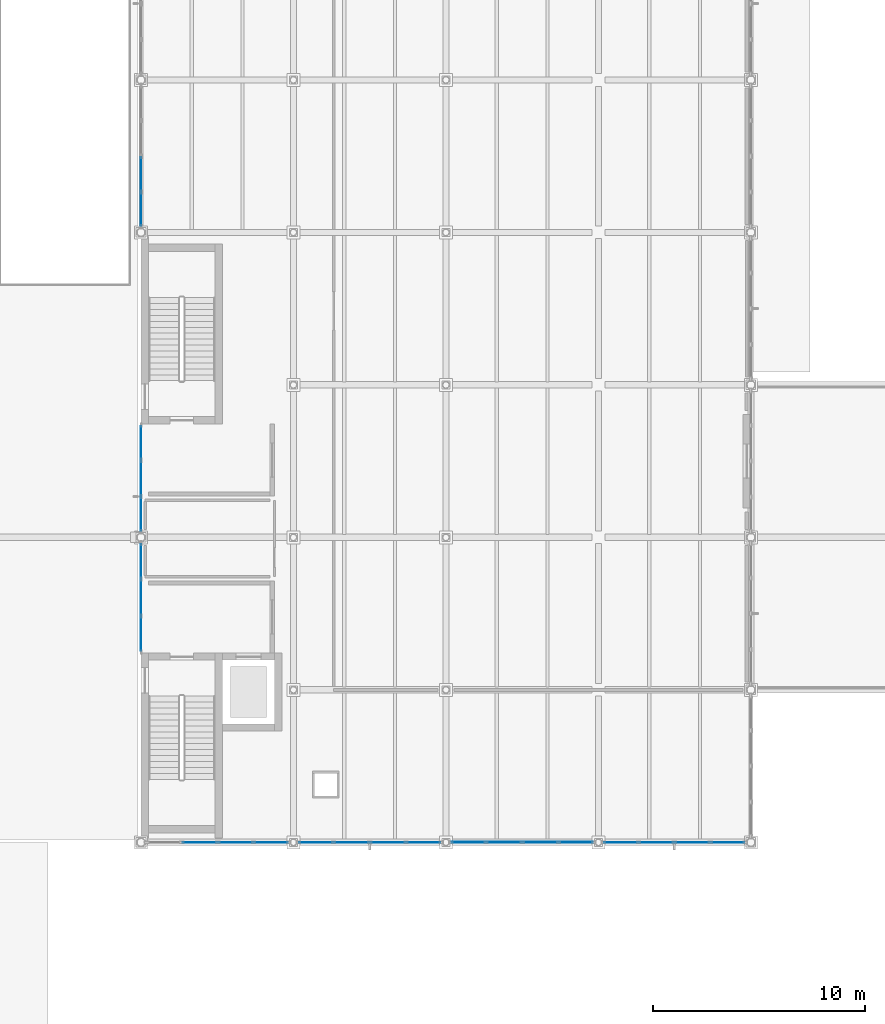
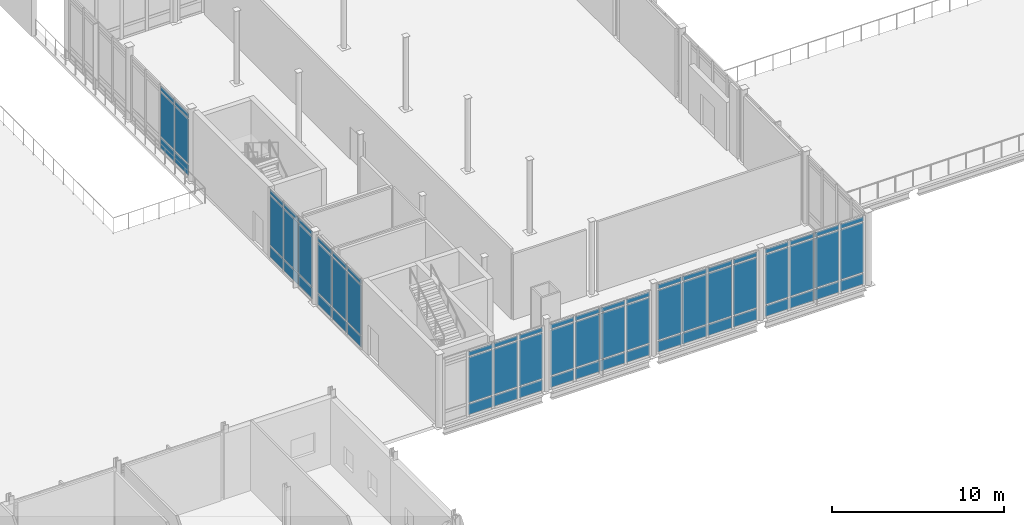
# One storey, part 43 of 89: 69 plates, 7 elements without a shape of their own.
"""IFC4 building model written with IfcOpenShell, lengths in metres."""

from ifc_helpers import new_model, si_unit, direction, frame, origin, origin_2d, place, context, subcontext, project, spatial, rectangle, extrude, material, layer, layer_set, type_object, element, aggregate, save


model = new_model("IFC4")

# Units and contexts
model_context = context("Model", 3, precision=1e-05, world=origin(), true_north=direction((0.0, 1.0)))
body_context = subcontext(model_context, "Body", "Model", "MODEL_VIEW")
ifc_project = project(units=[si_unit("LENGTHUNIT", "METRE"), si_unit("AREAUNIT", "SQUARE_METRE"), si_unit("VOLUMEUNIT", "CUBIC_METRE"), si_unit("PLANEANGLEUNIT", "RADIAN"), si_unit("MASSUNIT", "GRAM", prefix="KILO")], contexts=[model_context])

# Site, building, storey
site_placement = place(None, origin())
site = spatial("IfcSite", under=ifc_project, at=site_placement, CompositionType="ELEMENT")
building_placement = place(site_placement, origin())
building = spatial("IfcBuilding", under=site, at=building_placement, Name="Zarrinpeak Specialist Clinic", CompositionType="ELEMENT")
storey_placement = place(building_placement, origin())
storey = spatial("IfcBuildingStorey", under=building, at=storey_placement, Name="L00", CompositionType="ELEMENT", Elevation=0.0)

# Curtain wall, plates
ifc_material_1 = material(Name="Anodised Aluminium Alloy 6063-T6", Category="aluminium")
ifc_layer_1 = layer(ifc_material_1, 0.199951171875)
ifc_layer_set_1 = layer_set([ifc_layer_1], Name="Anodised Aluminium Alloy 6063-T6")
curtain_wall_type = type_object("IfcCurtainWallType", Name="CW-HALL", PredefinedType="NOTDEFINED", material=ifc_layer_set_1)
curtain_wall_1_placement = place(storey_placement, origin())
curtain_wall_1 = element("IfcCurtainWall", 1, at=curtain_wall_1_placement, inside=storey, type_object=curtain_wall_type, Name="L00 V3 Unitised Curtain Wall CW-L00-V3-079", PredefinedType="NOTDEFINED")
ifc_material_2 = material(Name="Double Low-E Insulated Glazing", Category="glass")
ifc_layer_2 = layer(ifc_material_2, 0.028076171875)
ifc_layer_set_2 = layer_set([ifc_layer_2], Name="Double Low-E Insulated Glazing")
plate_type_1 = type_object("IfcPlateType", Name="CWP-GLZ28", PredefinedType="CURTAIN_PANEL", material=ifc_layer_set_2)
plate_1_placement = place(storey_placement, frame((96.37255859375, 28.800048828125, 0.08984375), z_axis=(0.0, 0.0, 1.0), x_axis=(1.0, 0.0, 0.0)))
plate_1 = element("IfcPlate", 2, at=plate_1_placement, type_object=plate_type_1, Name="CW-02 panel 2.1", PredefinedType="CURTAIN_PANEL", context=body_context, shape_type="SweptSolid", body=[
    extrude(rectangle(XDim=1.606201171875, YDim=0.028076171875, at=origin_2d()), origin(), (0.0, 0.0, 1.0), 0.764892578125),
])
plate_2_placement = place(storey_placement, frame((96.37255859375, 28.800048828125, 0.945068359375), z_axis=(0.0, 0.0, 1.0), x_axis=(1.0, 0.0, 0.0)))
plate_2 = element("IfcPlate", 3, at=plate_2_placement, type_object=plate_type_1, Name="CW-02 panel 2.2", PredefinedType="CURTAIN_PANEL", context=body_context, shape_type="SweptSolid", body=[
    extrude(rectangle(XDim=1.606201171875, YDim=0.028076171875, at=origin_2d()), origin(), (0.0, 0.0, 1.0), 3.22509765625),
])
plate_3_placement = place(storey_placement, frame((96.37255859375, 28.800048828125, 4.260009765625), z_axis=(0.0, 0.0, 1.0), x_axis=(1.0, 0.0, 0.0)))
plate_3 = element("IfcPlate", 4, at=plate_3_placement, type_object=plate_type_1, Name="CW-02 panel 2.3", PredefinedType="CURTAIN_PANEL", context=body_context, shape_type="SweptSolid", body=[
    extrude(rectangle(XDim=1.606201171875, YDim=0.028076171875, at=origin_2d()), origin(), (0.0, 0.0, 1.0), 0.31494140625),
])
plate_4_placement = place(storey_placement, frame((98.06884765625, 28.800048828125, 0.08984375), z_axis=(0.0, 0.0, 1.0), x_axis=(1.0, 0.0, 0.0)))
plate_4 = element("IfcPlate", 5, at=plate_4_placement, type_object=plate_type_1, Name="CW-02 panel 3.1", PredefinedType="CURTAIN_PANEL", context=body_context, shape_type="SweptSolid", body=[
    extrude(rectangle(XDim=1.606201171875, YDim=0.028076171875, at=origin_2d()), origin(), (0.0, 0.0, 1.0), 0.764892578125),
])
plate_5_placement = place(storey_placement, frame((98.06884765625, 28.800048828125, 0.945068359375), z_axis=(0.0, 0.0, 1.0), x_axis=(1.0, 0.0, 0.0)))
plate_5 = element("IfcPlate", 6, at=plate_5_placement, type_object=plate_type_1, Name="CW-02 panel 3.2", PredefinedType="CURTAIN_PANEL", context=body_context, shape_type="SweptSolid", body=[
    extrude(rectangle(XDim=1.606201171875, YDim=0.028076171875, at=origin_2d()), origin(), (0.0, 0.0, 1.0), 3.22509765625),
])
plate_6_placement = place(storey_placement, frame((98.06884765625, 28.800048828125, 4.260009765625), z_axis=(0.0, 0.0, 1.0), x_axis=(1.0, 0.0, 0.0)))
plate_6 = element("IfcPlate", 7, at=plate_6_placement, type_object=plate_type_1, Name="CW-02 panel 3.3", PredefinedType="CURTAIN_PANEL", context=body_context, shape_type="SweptSolid", body=[
    extrude(rectangle(XDim=1.606201171875, YDim=0.028076171875, at=origin_2d()), origin(), (0.0, 0.0, 1.0), 0.31494140625),
])
plate_7_placement = place(storey_placement, frame((99.742431640625, 28.800048828125, 0.08984375), z_axis=(0.0, 0.0, 1.0), x_axis=(1.0, 0.0, 0.0)))
plate_7 = element("IfcPlate", 8, at=plate_7_placement, type_object=plate_type_1, Name="CW-02 panel 4.1", PredefinedType="CURTAIN_PANEL", context=body_context, shape_type="SweptSolid", body=[
    extrude(rectangle(XDim=1.561279296875, YDim=0.028076171875, at=origin_2d()), origin(), (0.0, 0.0, 1.0), 0.764892578125),
])
plate_8_placement = place(storey_placement, frame((99.742431640625, 28.800048828125, 0.945068359375), z_axis=(0.0, 0.0, 1.0), x_axis=(1.0, 0.0, 0.0)))
plate_8 = element("IfcPlate", 9, at=plate_8_placement, type_object=plate_type_1, Name="CW-02 panel 4.2", PredefinedType="CURTAIN_PANEL", context=body_context, shape_type="SweptSolid", body=[
    extrude(rectangle(XDim=1.561279296875, YDim=0.028076171875, at=origin_2d()), origin(), (0.0, 0.0, 1.0), 3.22509765625),
])
plate_9_placement = place(storey_placement, frame((99.742431640625, 28.800048828125, 4.260009765625), z_axis=(0.0, 0.0, 1.0), x_axis=(1.0, 0.0, 0.0)))
plate_9 = element("IfcPlate", 10, at=plate_9_placement, type_object=plate_type_1, Name="CW-02 panel 4.3", PredefinedType="CURTAIN_PANEL", context=body_context, shape_type="SweptSolid", body=[
    extrude(rectangle(XDim=1.561279296875, YDim=0.028076171875, at=origin_2d()), origin(), (0.0, 0.0, 1.0), 0.31494140625),
])
aggregate(curtain_wall_1, [plate_1, plate_2, plate_3, plate_4, plate_5, plate_6, plate_7, plate_8, plate_9])

curtain_wall_2_placement = place(storey_placement, origin())
curtain_wall_2 = element("IfcCurtainWall", 11, at=curtain_wall_2_placement, inside=storey, type_object=curtain_wall_type, Name="L00 V3 Unitised Curtain Wall CW-L00-V3-080", PredefinedType="NOTDEFINED")
plate_10_placement = place(storey_placement, frame((101.86279296875, 28.800048828125, 0.08984375), z_axis=(0.0, 0.0, 1.0), x_axis=(1.0, 0.0, 0.0)))
plate_10 = element("IfcPlate", 12, at=plate_10_placement, type_object=plate_type_1, Name="CW-02 panel 1.1", PredefinedType="CURTAIN_PANEL", context=body_context, shape_type="SweptSolid", body=[
    extrude(rectangle(XDim=1.571533203125, YDim=0.028076171875, at=origin_2d()), origin(), (0.0, 0.0, 1.0), 0.764892578125),
])
plate_11_placement = place(storey_placement, frame((101.86279296875, 28.800048828125, 0.945068359375), z_axis=(0.0, 0.0, 1.0), x_axis=(1.0, 0.0, 0.0)))
plate_11 = element("IfcPlate", 13, at=plate_11_placement, type_object=plate_type_1, Name="CW-02 panel 1.2", PredefinedType="CURTAIN_PANEL", context=body_context, shape_type="SweptSolid", body=[
    extrude(rectangle(XDim=1.571533203125, YDim=0.028076171875, at=origin_2d()), origin(), (0.0, 0.0, 1.0), 3.22509765625),
])
plate_12_placement = place(storey_placement, frame((101.86279296875, 28.800048828125, 4.260009765625), z_axis=(0.0, 0.0, 1.0), x_axis=(1.0, 0.0, 0.0)))
plate_12 = element("IfcPlate", 14, at=plate_12_placement, type_object=plate_type_1, Name="CW-02 panel 1.3", PredefinedType="CURTAIN_PANEL", context=body_context, shape_type="SweptSolid", body=[
    extrude(rectangle(XDim=1.571533203125, YDim=0.028076171875, at=origin_2d()), origin(), (0.0, 0.0, 1.0), 0.31494140625),
])
plate_13_placement = place(storey_placement, frame((103.546630859375, 28.800048828125, 0.08984375), z_axis=(0.0, 0.0, 1.0), x_axis=(1.0, 0.0, 0.0)))
plate_13 = element("IfcPlate", 15, at=plate_13_placement, type_object=plate_type_1, Name="CW-02 panel 2.1", PredefinedType="CURTAIN_PANEL", context=body_context, shape_type="SweptSolid", body=[
    extrude(rectangle(XDim=1.616455078125, YDim=0.028076171875, at=origin_2d()), origin(), (0.0, 0.0, 1.0), 0.764892578125),
])
plate_14_placement = place(storey_placement, frame((103.546630859375, 28.800048828125, 0.945068359375), z_axis=(0.0, 0.0, 1.0), x_axis=(1.0, 0.0, 0.0)))
plate_14 = element("IfcPlate", 16, at=plate_14_placement, type_object=plate_type_1, Name="CW-02 panel 2.2", PredefinedType="CURTAIN_PANEL", context=body_context, shape_type="SweptSolid", body=[
    extrude(rectangle(XDim=1.616455078125, YDim=0.028076171875, at=origin_2d()), origin(), (0.0, 0.0, 1.0), 3.22509765625),
])
plate_15_placement = place(storey_placement, frame((103.546630859375, 28.800048828125, 4.260009765625), z_axis=(0.0, 0.0, 1.0), x_axis=(1.0, 0.0, 0.0)))
plate_15 = element("IfcPlate", 17, at=plate_15_placement, type_object=plate_type_1, Name="CW-02 panel 2.3", PredefinedType="CURTAIN_PANEL", context=body_context, shape_type="SweptSolid", body=[
    extrude(rectangle(XDim=1.616455078125, YDim=0.028076171875, at=origin_2d()), origin(), (0.0, 0.0, 1.0), 0.31494140625),
])
plate_16_placement = place(storey_placement, frame((105.253173828125, 28.800048828125, 0.08984375), z_axis=(0.0, 0.0, 1.0), x_axis=(1.0, 0.0, 0.0)))
plate_16 = element("IfcPlate", 18, at=plate_16_placement, type_object=plate_type_1, Name="CW-02 panel 3.1", PredefinedType="CURTAIN_PANEL", context=body_context, shape_type="SweptSolid", body=[
    extrude(rectangle(XDim=1.616455078125, YDim=0.028076171875, at=origin_2d()), origin(), (0.0, 0.0, 1.0), 0.764892578125),
])
plate_17_placement = place(storey_placement, frame((105.253173828125, 28.800048828125, 0.945068359375), z_axis=(0.0, 0.0, 1.0), x_axis=(1.0, 0.0, 0.0)))
plate_17 = element("IfcPlate", 19, at=plate_17_placement, type_object=plate_type_1, Name="CW-02 panel 3.2", PredefinedType="CURTAIN_PANEL", context=body_context, shape_type="SweptSolid", body=[
    extrude(rectangle(XDim=1.616455078125, YDim=0.028076171875, at=origin_2d()), origin(), (0.0, 0.0, 1.0), 3.22509765625),
])
plate_18_placement = place(storey_placement, frame((105.253173828125, 28.800048828125, 4.260009765625), z_axis=(0.0, 0.0, 1.0), x_axis=(1.0, 0.0, 0.0)))
plate_18 = element("IfcPlate", 20, at=plate_18_placement, type_object=plate_type_1, Name="CW-02 panel 3.3", PredefinedType="CURTAIN_PANEL", context=body_context, shape_type="SweptSolid", body=[
    extrude(rectangle(XDim=1.616455078125, YDim=0.028076171875, at=origin_2d()), origin(), (0.0, 0.0, 1.0), 0.31494140625),
])
plate_19_placement = place(storey_placement, frame((106.937255859375, 28.800048828125, 0.08984375), z_axis=(0.0, 0.0, 1.0), x_axis=(1.0, 0.0, 0.0)))
plate_19 = element("IfcPlate", 21, at=plate_19_placement, type_object=plate_type_1, Name="CW-02 panel 4.1", PredefinedType="CURTAIN_PANEL", context=body_context, shape_type="SweptSolid", body=[
    extrude(rectangle(XDim=1.571533203125, YDim=0.028076171875, at=origin_2d()), origin(), (0.0, 0.0, 1.0), 0.764892578125),
])
plate_20_placement = place(storey_placement, frame((106.937255859375, 28.800048828125, 0.945068359375), z_axis=(0.0, 0.0, 1.0), x_axis=(1.0, 0.0, 0.0)))
plate_20 = element("IfcPlate", 22, at=plate_20_placement, type_object=plate_type_1, Name="CW-02 panel 4.2", PredefinedType="CURTAIN_PANEL", context=body_context, shape_type="SweptSolid", body=[
    extrude(rectangle(XDim=1.571533203125, YDim=0.028076171875, at=origin_2d()), origin(), (0.0, 0.0, 1.0), 3.22509765625),
])
plate_21_placement = place(storey_placement, frame((106.937255859375, 28.800048828125, 4.260009765625), z_axis=(0.0, 0.0, 1.0), x_axis=(1.0, 0.0, 0.0)))
plate_21 = element("IfcPlate", 23, at=plate_21_placement, type_object=plate_type_1, Name="CW-02 panel 4.3", PredefinedType="CURTAIN_PANEL", context=body_context, shape_type="SweptSolid", body=[
    extrude(rectangle(XDim=1.571533203125, YDim=0.028076171875, at=origin_2d()), origin(), (0.0, 0.0, 1.0), 0.31494140625),
])
aggregate(curtain_wall_2, [plate_10, plate_11, plate_12, plate_13, plate_14, plate_15, plate_16, plate_17, plate_18, plate_19, plate_20, plate_21])

curtain_wall_3_placement = place(storey_placement, origin())
curtain_wall_3 = element("IfcCurtainWall", 24, at=curtain_wall_3_placement, inside=storey, type_object=curtain_wall_type, Name="L00 V3 Unitised Curtain Wall CW-L00-V3-082", PredefinedType="NOTDEFINED")
plate_22_placement = place(storey_placement, frame((116.257568359375, 28.800048828125, 0.08984375), z_axis=(0.0, 0.0, 1.0), x_axis=(1.0, 0.0, 0.0)))
plate_22 = element("IfcPlate", 25, at=plate_22_placement, type_object=plate_type_1, Name="CW-02 panel 1.1", PredefinedType="CURTAIN_PANEL", context=body_context, shape_type="SweptSolid", body=[
    extrude(rectangle(XDim=1.561279296875, YDim=0.028076171875, at=origin_2d()), origin(), (0.0, 0.0, 1.0), 0.764892578125),
])
plate_23_placement = place(storey_placement, frame((116.257568359375, 28.800048828125, 0.94482421875), z_axis=(0.0, 0.0, 1.0), x_axis=(1.0, 0.0, 0.0)))
plate_23 = element("IfcPlate", 26, at=plate_23_placement, type_object=plate_type_1, Name="CW-02 panel 1.2", PredefinedType="CURTAIN_PANEL", context=body_context, shape_type="SweptSolid", body=[
    extrude(rectangle(XDim=1.561279296875, YDim=0.028076171875, at=origin_2d()), origin(), (0.0, 0.0, 1.0), 3.530029296875),
])
plate_24_placement = place(storey_placement, frame((116.257568359375, 28.800048828125, 4.56494140625), z_axis=(0.0, 0.0, 1.0), x_axis=(1.0, 0.0, 0.0)))
plate_24 = element("IfcPlate", 27, at=plate_24_placement, type_object=plate_type_1, Name="CW-02 panel 1.3", PredefinedType="CURTAIN_PANEL", context=body_context, shape_type="SweptSolid", body=[
    extrude(rectangle(XDim=1.561279296875, YDim=0.028076171875, at=origin_2d()), origin(), (0.0, 0.0, 1.0), 0.31494140625),
])
plate_25_placement = place(storey_placement, frame((117.93115234375, 28.800048828125, 0.08984375), z_axis=(0.0, 0.0, 1.0), x_axis=(1.0, 0.0, 0.0)))
plate_25 = element("IfcPlate", 28, at=plate_25_placement, type_object=plate_type_1, Name="CW-02 panel 2.1", PredefinedType="CURTAIN_PANEL", context=body_context, shape_type="SweptSolid", body=[
    extrude(rectangle(XDim=1.606201171875, YDim=0.028076171875, at=origin_2d()), origin(), (0.0, 0.0, 1.0), 0.764892578125),
])
plate_26_placement = place(storey_placement, frame((117.93115234375, 28.800048828125, 0.94482421875), z_axis=(0.0, 0.0, 1.0), x_axis=(1.0, 0.0, 0.0)))
plate_26 = element("IfcPlate", 29, at=plate_26_placement, type_object=plate_type_1, Name="CW-02 panel 2.2", PredefinedType="CURTAIN_PANEL", context=body_context, shape_type="SweptSolid", body=[
    extrude(rectangle(XDim=1.606201171875, YDim=0.028076171875, at=origin_2d()), origin(), (0.0, 0.0, 1.0), 3.530029296875),
])
plate_27_placement = place(storey_placement, frame((117.93115234375, 28.800048828125, 4.56494140625), z_axis=(0.0, 0.0, 1.0), x_axis=(1.0, 0.0, 0.0)))
plate_27 = element("IfcPlate", 30, at=plate_27_placement, type_object=plate_type_1, Name="CW-02 panel 2.3", PredefinedType="CURTAIN_PANEL", context=body_context, shape_type="SweptSolid", body=[
    extrude(rectangle(XDim=1.606201171875, YDim=0.028076171875, at=origin_2d()), origin(), (0.0, 0.0, 1.0), 0.31494140625),
])
plate_28_placement = place(storey_placement, frame((119.62744140625, 28.800048828125, 0.08984375), z_axis=(0.0, 0.0, 1.0), x_axis=(1.0, 0.0, 0.0)))
plate_28 = element("IfcPlate", 31, at=plate_28_placement, type_object=plate_type_1, Name="CW-02 panel 3.1", PredefinedType="CURTAIN_PANEL", context=body_context, shape_type="SweptSolid", body=[
    extrude(rectangle(XDim=1.606201171875, YDim=0.028076171875, at=origin_2d()), origin(), (0.0, 0.0, 1.0), 0.764892578125),
])
plate_29_placement = place(storey_placement, frame((119.62744140625, 28.800048828125, 0.94482421875), z_axis=(0.0, 0.0, 1.0), x_axis=(1.0, 0.0, 0.0)))
plate_29 = element("IfcPlate", 32, at=plate_29_placement, type_object=plate_type_1, Name="CW-02 panel 3.2", PredefinedType="CURTAIN_PANEL", context=body_context, shape_type="SweptSolid", body=[
    extrude(rectangle(XDim=1.606201171875, YDim=0.028076171875, at=origin_2d()), origin(), (0.0, 0.0, 1.0), 3.530029296875),
])
plate_30_placement = place(storey_placement, frame((119.62744140625, 28.800048828125, 4.56494140625), z_axis=(0.0, 0.0, 1.0), x_axis=(1.0, 0.0, 0.0)))
plate_30 = element("IfcPlate", 33, at=plate_30_placement, type_object=plate_type_1, Name="CW-02 panel 3.3", PredefinedType="CURTAIN_PANEL", context=body_context, shape_type="SweptSolid", body=[
    extrude(rectangle(XDim=1.606201171875, YDim=0.028076171875, at=origin_2d()), origin(), (0.0, 0.0, 1.0), 0.31494140625),
])
plate_31_placement = place(storey_placement, frame((121.30126953125, 28.800048828125, 0.08984375), z_axis=(0.0, 0.0, 1.0), x_axis=(1.0, 0.0, 0.0)))
plate_31 = element("IfcPlate", 34, at=plate_31_placement, type_object=plate_type_1, Name="CW-02 panel 4.1", PredefinedType="CURTAIN_PANEL", context=body_context, shape_type="SweptSolid", body=[
    extrude(rectangle(XDim=1.561279296875, YDim=0.028076171875, at=origin_2d()), origin(), (0.0, 0.0, 1.0), 0.764892578125),
])
plate_32_placement = place(storey_placement, frame((121.30126953125, 28.800048828125, 0.94482421875), z_axis=(0.0, 0.0, 1.0), x_axis=(1.0, 0.0, 0.0)))
plate_32 = element("IfcPlate", 35, at=plate_32_placement, type_object=plate_type_1, Name="CW-02 panel 4.2", PredefinedType="CURTAIN_PANEL", context=body_context, shape_type="SweptSolid", body=[
    extrude(rectangle(XDim=1.561279296875, YDim=0.028076171875, at=origin_2d()), origin(), (0.0, 0.0, 1.0), 3.530029296875),
])
plate_33_placement = place(storey_placement, frame((121.30126953125, 28.800048828125, 4.56494140625), z_axis=(0.0, 0.0, 1.0), x_axis=(1.0, 0.0, 0.0)))
plate_33 = element("IfcPlate", 36, at=plate_33_placement, type_object=plate_type_1, Name="CW-02 panel 4.3", PredefinedType="CURTAIN_PANEL", context=body_context, shape_type="SweptSolid", body=[
    extrude(rectangle(XDim=1.561279296875, YDim=0.028076171875, at=origin_2d()), origin(), (0.0, 0.0, 1.0), 0.31494140625),
])
aggregate(curtain_wall_3, [plate_22, plate_23, plate_24, plate_25, plate_26, plate_27, plate_28, plate_29, plate_30, plate_31, plate_32, plate_33])

curtain_wall_4_placement = place(storey_placement, origin())
curtain_wall_4 = element("IfcCurtainWall", 37, at=curtain_wall_4_placement, inside=storey, type_object=curtain_wall_type, Name="L00 V3 Unitised Curtain Wall CW-L00-V3-087", PredefinedType="NOTDEFINED")
plate_34_placement = place(storey_placement, frame((93.60009765625, 42.0791015625, 0.08984375), z_axis=(0.0, 0.0, 1.0), x_axis=(0.0, -1.0, 0.0)))
plate_34 = element("IfcPlate", 38, at=plate_34_placement, type_object=plate_type_1, Name="CW-02 panel 1.1", PredefinedType="CURTAIN_PANEL", context=body_context, shape_type="SweptSolid", body=[
    extrude(rectangle(XDim=1.605712890625, YDim=0.028076171875, at=origin_2d()), origin(), (0.0, 0.0, 1.0), 0.764892578125),
])
plate_35_placement = place(storey_placement, frame((93.60009765625, 42.0791015625, 0.94482421875), z_axis=(0.0, 0.0, 1.0), x_axis=(0.0, -1.0, 0.0)))
plate_35 = element("IfcPlate", 39, at=plate_35_placement, type_object=plate_type_1, Name="CW-02 panel 1.2", PredefinedType="CURTAIN_PANEL", context=body_context, shape_type="SweptSolid", body=[
    extrude(rectangle(XDim=1.605712890625, YDim=0.028076171875, at=origin_2d()), origin(), (0.0, 0.0, 1.0), 3.530029296875),
])
plate_36_placement = place(storey_placement, frame((93.60009765625, 42.0791015625, 4.56494140625), z_axis=(0.0, 0.0, 1.0), x_axis=(0.0, -1.0, 0.0)))
plate_36 = element("IfcPlate", 40, at=plate_36_placement, type_object=plate_type_1, Name="CW-02 panel 1.3", PredefinedType="CURTAIN_PANEL", context=body_context, shape_type="SweptSolid", body=[
    extrude(rectangle(XDim=1.605712890625, YDim=0.028076171875, at=origin_2d()), origin(), (0.0, 0.0, 1.0), 0.31494140625),
])
plate_37_placement = place(storey_placement, frame((93.60009765625, 40.36083984375, 0.08984375), z_axis=(0.0, 0.0, 1.0), x_axis=(0.0, -1.0, 0.0)))
plate_37 = element("IfcPlate", 41, at=plate_37_placement, type_object=plate_type_1, Name="CW-02 panel 2.1", PredefinedType="CURTAIN_PANEL", context=body_context, shape_type="SweptSolid", body=[
    extrude(rectangle(XDim=1.650634765625, YDim=0.028076171875, at=origin_2d()), origin(), (0.0, 0.0, 1.0), 0.764892578125),
])
plate_38_placement = place(storey_placement, frame((93.60009765625, 40.36083984375, 0.94482421875), z_axis=(0.0, 0.0, 1.0), x_axis=(0.0, -1.0, 0.0)))
plate_38 = element("IfcPlate", 42, at=plate_38_placement, type_object=plate_type_1, Name="CW-02 panel 2.2", PredefinedType="CURTAIN_PANEL", context=body_context, shape_type="SweptSolid", body=[
    extrude(rectangle(XDim=1.650634765625, YDim=0.028076171875, at=origin_2d()), origin(), (0.0, 0.0, 1.0), 3.530029296875),
])
plate_39_placement = place(storey_placement, frame((93.60009765625, 40.36083984375, 4.56494140625), z_axis=(0.0, 0.0, 1.0), x_axis=(0.0, -1.0, 0.0)))
plate_39 = element("IfcPlate", 43, at=plate_39_placement, type_object=plate_type_1, Name="CW-02 panel 2.3", PredefinedType="CURTAIN_PANEL", context=body_context, shape_type="SweptSolid", body=[
    extrude(rectangle(XDim=1.650634765625, YDim=0.028076171875, at=origin_2d()), origin(), (0.0, 0.0, 1.0), 0.31494140625),
])
plate_40_placement = place(storey_placement, frame((93.60009765625, 38.642822265625, 0.08984375), z_axis=(0.0, 0.0, 1.0), x_axis=(0.0, -1.0, 0.0)))
plate_40 = element("IfcPlate", 44, at=plate_40_placement, type_object=plate_type_1, Name="CW-02 panel 3.1", PredefinedType="CURTAIN_PANEL", context=body_context, shape_type="SweptSolid", body=[
    extrude(rectangle(XDim=1.605712890625, YDim=0.028076171875, at=origin_2d()), origin(), (0.0, 0.0, 1.0), 0.764892578125),
])
plate_41_placement = place(storey_placement, frame((93.60009765625, 38.642822265625, 0.94482421875), z_axis=(0.0, 0.0, 1.0), x_axis=(0.0, -1.0, 0.0)))
plate_41 = element("IfcPlate", 45, at=plate_41_placement, type_object=plate_type_1, Name="CW-02 panel 3.2", PredefinedType="CURTAIN_PANEL", context=body_context, shape_type="SweptSolid", body=[
    extrude(rectangle(XDim=1.605712890625, YDim=0.028076171875, at=origin_2d()), origin(), (0.0, 0.0, 1.0), 3.530029296875),
])
plate_42_placement = place(storey_placement, frame((93.60009765625, 38.642822265625, 4.56494140625), z_axis=(0.0, 0.0, 1.0), x_axis=(0.0, -1.0, 0.0)))
plate_42 = element("IfcPlate", 46, at=plate_42_placement, type_object=plate_type_1, Name="CW-02 panel 3.3", PredefinedType="CURTAIN_PANEL", context=body_context, shape_type="SweptSolid", body=[
    extrude(rectangle(XDim=1.605712890625, YDim=0.028076171875, at=origin_2d()), origin(), (0.0, 0.0, 1.0), 0.31494140625),
])
aggregate(curtain_wall_4, [plate_34, plate_35, plate_36, plate_37, plate_38, plate_39, plate_40, plate_41, plate_42])

curtain_wall_5_placement = place(storey_placement, origin())
curtain_wall_5 = element("IfcCurtainWall", 47, at=curtain_wall_5_placement, inside=storey, type_object=curtain_wall_type, Name="L00 V3 Unitised Curtain Wall CW-L00-V3-088", PredefinedType="NOTDEFINED")
plate_43_placement = place(storey_placement, frame((93.60009765625, 47.673828125, 0.08984375), z_axis=(0.0, 0.0, 1.0), x_axis=(0.0, -1.0, 0.0)))
plate_43 = element("IfcPlate", 48, at=plate_43_placement, type_object=plate_type_1, Name="CW-02 panel 1.1", PredefinedType="CURTAIN_PANEL", context=body_context, shape_type="SweptSolid", body=[
    extrude(rectangle(XDim=1.572265625, YDim=0.028076171875, at=origin_2d()), origin(), (0.0, 0.0, 1.0), 0.764892578125),
])
plate_44_placement = place(storey_placement, frame((93.60009765625, 47.673828125, 0.94482421875), z_axis=(0.0, 0.0, 1.0), x_axis=(0.0, -1.0, 0.0)))
plate_44 = element("IfcPlate", 49, at=plate_44_placement, type_object=plate_type_1, Name="CW-02 panel 1.2", PredefinedType="CURTAIN_PANEL", context=body_context, shape_type="SweptSolid", body=[
    extrude(rectangle(XDim=1.572265625, YDim=0.028076171875, at=origin_2d()), origin(), (0.0, 0.0, 1.0), 3.530029296875),
])
plate_45_placement = place(storey_placement, frame((93.60009765625, 47.673828125, 4.56494140625), z_axis=(0.0, 0.0, 1.0), x_axis=(0.0, -1.0, 0.0)))
plate_45 = element("IfcPlate", 50, at=plate_45_placement, type_object=plate_type_1, Name="CW-02 panel 1.3", PredefinedType="CURTAIN_PANEL", context=body_context, shape_type="SweptSolid", body=[
    extrude(rectangle(XDim=1.572265625, YDim=0.028076171875, at=origin_2d()), origin(), (0.0, 0.0, 1.0), 0.31494140625),
])
plate_46_placement = place(storey_placement, frame((93.60009765625, 45.989013671875, 0.08984375), z_axis=(0.0, 0.0, 1.0), x_axis=(0.0, -1.0, 0.0)))
plate_46 = element("IfcPlate", 51, at=plate_46_placement, type_object=plate_type_1, Name="CW-02 panel 2.1", PredefinedType="CURTAIN_PANEL", context=body_context, shape_type="SweptSolid", body=[
    extrude(rectangle(XDim=1.6171875, YDim=0.028076171875, at=origin_2d()), origin(), (0.0, 0.0, 1.0), 0.764892578125),
])
plate_47_placement = place(storey_placement, frame((93.60009765625, 45.989013671875, 0.94482421875), z_axis=(0.0, 0.0, 1.0), x_axis=(0.0, -1.0, 0.0)))
plate_47 = element("IfcPlate", 52, at=plate_47_placement, type_object=plate_type_1, Name="CW-02 panel 2.2", PredefinedType="CURTAIN_PANEL", context=body_context, shape_type="SweptSolid", body=[
    extrude(rectangle(XDim=1.6171875, YDim=0.028076171875, at=origin_2d()), origin(), (0.0, 0.0, 1.0), 3.530029296875),
])
plate_48_placement = place(storey_placement, frame((93.60009765625, 45.989013671875, 4.56494140625), z_axis=(0.0, 0.0, 1.0), x_axis=(0.0, -1.0, 0.0)))
plate_48 = element("IfcPlate", 53, at=plate_48_placement, type_object=plate_type_1, Name="CW-02 panel 2.3", PredefinedType="CURTAIN_PANEL", context=body_context, shape_type="SweptSolid", body=[
    extrude(rectangle(XDim=1.6171875, YDim=0.028076171875, at=origin_2d()), origin(), (0.0, 0.0, 1.0), 0.31494140625),
])
plate_49_placement = place(storey_placement, frame((93.60009765625, 44.304443359375, 0.08984375), z_axis=(0.0, 0.0, 1.0), x_axis=(0.0, -1.0, 0.0)))
plate_49 = element("IfcPlate", 54, at=plate_49_placement, type_object=plate_type_1, Name="CW-02 panel 3.1", PredefinedType="CURTAIN_PANEL", context=body_context, shape_type="SweptSolid", body=[
    extrude(rectangle(XDim=1.572265625, YDim=0.028076171875, at=origin_2d()), origin(), (0.0, 0.0, 1.0), 0.764892578125),
])
plate_50_placement = place(storey_placement, frame((93.60009765625, 44.304443359375, 0.94482421875), z_axis=(0.0, 0.0, 1.0), x_axis=(0.0, -1.0, 0.0)))
plate_50 = element("IfcPlate", 55, at=plate_50_placement, type_object=plate_type_1, Name="CW-02 panel 3.2", PredefinedType="CURTAIN_PANEL", context=body_context, shape_type="SweptSolid", body=[
    extrude(rectangle(XDim=1.572265625, YDim=0.028076171875, at=origin_2d()), origin(), (0.0, 0.0, 1.0), 3.530029296875),
])
plate_51_placement = place(storey_placement, frame((93.60009765625, 44.304443359375, 4.56494140625), z_axis=(0.0, 0.0, 1.0), x_axis=(0.0, -1.0, 0.0)))
plate_51 = element("IfcPlate", 56, at=plate_51_placement, type_object=plate_type_1, Name="CW-02 panel 3.3", PredefinedType="CURTAIN_PANEL", context=body_context, shape_type="SweptSolid", body=[
    extrude(rectangle(XDim=1.572265625, YDim=0.028076171875, at=origin_2d()), origin(), (0.0, 0.0, 1.0), 0.31494140625),
])
aggregate(curtain_wall_5, [plate_43, plate_44, plate_45, plate_46, plate_47, plate_48, plate_49, plate_50, plate_51])

curtain_wall_6_placement = place(storey_placement, origin())
curtain_wall_6 = element("IfcCurtainWall", 57, at=curtain_wall_6_placement, inside=storey, type_object=curtain_wall_type, Name="L00 V3 Unitised Curtain Wall CW-L00-V3-089", PredefinedType="NOTDEFINED")
plate_52_placement = place(storey_placement, frame((93.60009765625, 60.35693359375, 0.08984375), z_axis=(0.0, 0.0, 1.0), x_axis=(0.0, -1.0, 0.0)))
plate_52 = element("IfcPlate", 58, at=plate_52_placement, type_object=plate_type_1, Name="CW-02 panel 3.1", PredefinedType="CURTAIN_PANEL", context=body_context, shape_type="SweptSolid", body=[
    extrude(rectangle(XDim=1.595947265625, YDim=0.028076171875, at=origin_2d()), origin(), (0.0, 0.0, 1.0), 0.764892578125),
])
plate_53_placement = place(storey_placement, frame((93.60009765625, 60.35693359375, 0.94482421875), z_axis=(0.0, 0.0, 1.0), x_axis=(0.0, -1.0, 0.0)))
plate_53 = element("IfcPlate", 59, at=plate_53_placement, type_object=plate_type_1, Name="CW-02 panel 3.2", PredefinedType="CURTAIN_PANEL", context=body_context, shape_type="SweptSolid", body=[
    extrude(rectangle(XDim=1.595947265625, YDim=0.028076171875, at=origin_2d()), origin(), (0.0, 0.0, 1.0), 3.155029296875),
])
plate_54_placement = place(storey_placement, frame((93.60009765625, 60.35693359375, 4.18994140625), z_axis=(0.0, 0.0, 1.0), x_axis=(0.0, -1.0, 0.0)))
plate_54 = element("IfcPlate", 60, at=plate_54_placement, type_object=plate_type_1, Name="CW-02 panel 3.3", PredefinedType="CURTAIN_PANEL", context=body_context, shape_type="SweptSolid", body=[
    extrude(rectangle(XDim=1.595947265625, YDim=0.028076171875, at=origin_2d()), origin(), (0.0, 0.0, 1.0), 0.31494140625),
])
plate_55_placement = place(storey_placement, frame((93.60009765625, 58.693603515625, 0.08984375), z_axis=(0.0, 0.0, 1.0), x_axis=(0.0, -1.0, 0.0)))
plate_55 = element("IfcPlate", 61, at=plate_55_placement, type_object=plate_type_1, Name="CW-02 panel 4.1", PredefinedType="CURTAIN_PANEL", context=body_context, shape_type="SweptSolid", body=[
    extrude(rectangle(XDim=1.55078125, YDim=0.028076171875, at=origin_2d()), origin(), (0.0, 0.0, 1.0), 0.764892578125),
])
plate_56_placement = place(storey_placement, frame((93.60009765625, 58.693603515625, 0.94482421875), z_axis=(0.0, 0.0, 1.0), x_axis=(0.0, -1.0, 0.0)))
plate_56 = element("IfcPlate", 62, at=plate_56_placement, type_object=plate_type_1, Name="CW-02 panel 4.2", PredefinedType="CURTAIN_PANEL", context=body_context, shape_type="SweptSolid", body=[
    extrude(rectangle(XDim=1.55078125, YDim=0.028076171875, at=origin_2d()), origin(), (0.0, 0.0, 1.0), 3.155029296875),
])
plate_57_placement = place(storey_placement, frame((93.60009765625, 58.693603515625, 4.18994140625), z_axis=(0.0, 0.0, 1.0), x_axis=(0.0, -1.0, 0.0)))
plate_57 = element("IfcPlate", 63, at=plate_57_placement, type_object=plate_type_1, Name="CW-02 panel 4.3", PredefinedType="CURTAIN_PANEL", context=body_context, shape_type="SweptSolid", body=[
    extrude(rectangle(XDim=1.55078125, YDim=0.028076171875, at=origin_2d()), origin(), (0.0, 0.0, 1.0), 0.31494140625),
])
aggregate(curtain_wall_6, [plate_52, plate_53, plate_54, plate_55, plate_56, plate_57])

curtain_wall_7_placement = place(storey_placement, origin())
curtain_wall_7 = element("IfcCurtainWall", 64, at=curtain_wall_7_placement, inside=storey, type_object=curtain_wall_type, Name="L00 V3 Unitised Curtain Wall CW-L00-V3-081", PredefinedType="NOTDEFINED")
ifc_material_3 = material(Name="Insulated Aluminium Spandrel Panel", Category="aluminium")
ifc_layer_3 = layer(ifc_material_3, 0.044921875)
ifc_layer_set_3 = layer_set([ifc_layer_3], Name="Insulated Aluminium Spandrel Panel")
plate_type_2 = type_object("IfcPlateType", Name="CWP-SPN45", PredefinedType="CURTAIN_PANEL", material=ifc_layer_set_3)
plate_58_placement = place(storey_placement, frame((109.062744140625, 28.800048828125, 0.08984375), z_axis=(0.0, 0.0, 1.0), x_axis=(1.0, 0.0, 0.0)))
plate_58 = element("IfcPlate", 65, at=plate_58_placement, type_object=plate_type_2, Name="CW-02 panel 1.1", PredefinedType="CURTAIN_PANEL", context=body_context, shape_type="SweptSolid", body=[
    extrude(rectangle(XDim=1.571533203125, YDim=0.044921875, at=origin_2d()), origin(), (0.0, 0.0, 1.0), 0.764892578125),
])
plate_59_placement = place(storey_placement, frame((109.062744140625, 28.800048828125, 0.94482421875), z_axis=(0.0, 0.0, 1.0), x_axis=(1.0, 0.0, 0.0)))
plate_59 = element("IfcPlate", 66, at=plate_59_placement, type_object=plate_type_2, Name="CW-02 panel 1.2", PredefinedType="CURTAIN_PANEL", context=body_context, shape_type="SweptSolid", body=[
    extrude(rectangle(XDim=1.571533203125, YDim=0.044921875, at=origin_2d()), origin(), (0.0, 0.0, 1.0), 3.530029296875),
])
plate_60_placement = place(storey_placement, frame((109.062744140625, 28.800048828125, 4.56494140625), z_axis=(0.0, 0.0, 1.0), x_axis=(1.0, 0.0, 0.0)))
plate_60 = element("IfcPlate", 67, at=plate_60_placement, type_object=plate_type_2, Name="CW-02 panel 1.3", PredefinedType="CURTAIN_PANEL", context=body_context, shape_type="SweptSolid", body=[
    extrude(rectangle(XDim=1.571533203125, YDim=0.044921875, at=origin_2d()), origin(), (0.0, 0.0, 1.0), 0.31494140625),
])
plate_61_placement = place(storey_placement, frame((110.746826171875, 28.800048828125, 0.08984375), z_axis=(0.0, 0.0, 1.0), x_axis=(1.0, 0.0, 0.0)))
plate_61 = element("IfcPlate", 68, at=plate_61_placement, type_object=plate_type_2, Name="CW-02 panel 2.1", PredefinedType="CURTAIN_PANEL", context=body_context, shape_type="SweptSolid", body=[
    extrude(rectangle(XDim=1.616455078125, YDim=0.044921875, at=origin_2d()), origin(), (0.0, 0.0, 1.0), 0.764892578125),
])
plate_62_placement = place(storey_placement, frame((110.746826171875, 28.800048828125, 0.94482421875), z_axis=(0.0, 0.0, 1.0), x_axis=(1.0, 0.0, 0.0)))
plate_62 = element("IfcPlate", 69, at=plate_62_placement, type_object=plate_type_2, Name="CW-02 panel 2.2", PredefinedType="CURTAIN_PANEL", context=body_context, shape_type="SweptSolid", body=[
    extrude(rectangle(XDim=1.616455078125, YDim=0.044921875, at=origin_2d()), origin(), (0.0, 0.0, 1.0), 3.530029296875),
])
plate_63_placement = place(storey_placement, frame((110.746826171875, 28.800048828125, 4.56494140625), z_axis=(0.0, 0.0, 1.0), x_axis=(1.0, 0.0, 0.0)))
plate_63 = element("IfcPlate", 70, at=plate_63_placement, type_object=plate_type_2, Name="CW-02 panel 2.3", PredefinedType="CURTAIN_PANEL", context=body_context, shape_type="SweptSolid", body=[
    extrude(rectangle(XDim=1.616455078125, YDim=0.044921875, at=origin_2d()), origin(), (0.0, 0.0, 1.0), 0.31494140625),
])
plate_64_placement = place(storey_placement, frame((112.453369140625, 28.800048828125, 0.08984375), z_axis=(0.0, 0.0, 1.0), x_axis=(1.0, 0.0, 0.0)))
plate_64 = element("IfcPlate", 71, at=plate_64_placement, type_object=plate_type_2, Name="CW-02 panel 3.1", PredefinedType="CURTAIN_PANEL", context=body_context, shape_type="SweptSolid", body=[
    extrude(rectangle(XDim=1.616455078125, YDim=0.044921875, at=origin_2d()), origin(), (0.0, 0.0, 1.0), 0.764892578125),
])
plate_65_placement = place(storey_placement, frame((112.453369140625, 28.800048828125, 0.94482421875), z_axis=(0.0, 0.0, 1.0), x_axis=(1.0, 0.0, 0.0)))
plate_65 = element("IfcPlate", 72, at=plate_65_placement, type_object=plate_type_2, Name="CW-02 panel 3.2", PredefinedType="CURTAIN_PANEL", context=body_context, shape_type="SweptSolid", body=[
    extrude(rectangle(XDim=1.616455078125, YDim=0.044921875, at=origin_2d()), origin(), (0.0, 0.0, 1.0), 3.530029296875),
])
plate_66_placement = place(storey_placement, frame((112.453369140625, 28.800048828125, 4.56494140625), z_axis=(0.0, 0.0, 1.0), x_axis=(1.0, 0.0, 0.0)))
plate_66 = element("IfcPlate", 73, at=plate_66_placement, type_object=plate_type_2, Name="CW-02 panel 3.3", PredefinedType="CURTAIN_PANEL", context=body_context, shape_type="SweptSolid", body=[
    extrude(rectangle(XDim=1.616455078125, YDim=0.044921875, at=origin_2d()), origin(), (0.0, 0.0, 1.0), 0.31494140625),
])
plate_67_placement = place(storey_placement, frame((114.13720703125, 28.800048828125, 0.08984375), z_axis=(0.0, 0.0, 1.0), x_axis=(1.0, 0.0, 0.0)))
plate_67 = element("IfcPlate", 74, at=plate_67_placement, type_object=plate_type_2, Name="CW-02 panel 4.1", PredefinedType="CURTAIN_PANEL", context=body_context, shape_type="SweptSolid", body=[
    extrude(rectangle(XDim=1.571533203125, YDim=0.044921875, at=origin_2d()), origin(), (0.0, 0.0, 1.0), 0.764892578125),
])
plate_68_placement = place(storey_placement, frame((114.13720703125, 28.800048828125, 0.94482421875), z_axis=(0.0, 0.0, 1.0), x_axis=(1.0, 0.0, 0.0)))
plate_68 = element("IfcPlate", 75, at=plate_68_placement, type_object=plate_type_2, Name="CW-02 panel 4.2", PredefinedType="CURTAIN_PANEL", context=body_context, shape_type="SweptSolid", body=[
    extrude(rectangle(XDim=1.571533203125, YDim=0.044921875, at=origin_2d()), origin(), (0.0, 0.0, 1.0), 3.530029296875),
])
plate_69_placement = place(storey_placement, frame((114.13720703125, 28.800048828125, 4.56494140625), z_axis=(0.0, 0.0, 1.0), x_axis=(1.0, 0.0, 0.0)))
plate_69 = element("IfcPlate", 76, at=plate_69_placement, type_object=plate_type_2, Name="CW-02 panel 4.3", PredefinedType="CURTAIN_PANEL", context=body_context, shape_type="SweptSolid", body=[
    extrude(rectangle(XDim=1.571533203125, YDim=0.044921875, at=origin_2d()), origin(), (0.0, 0.0, 1.0), 0.31494140625),
])
aggregate(curtain_wall_7, [plate_58, plate_59, plate_60, plate_61, plate_62, plate_63, plate_64, plate_65, plate_66, plate_67, plate_68, plate_69])

save(model, "model.ifc")
